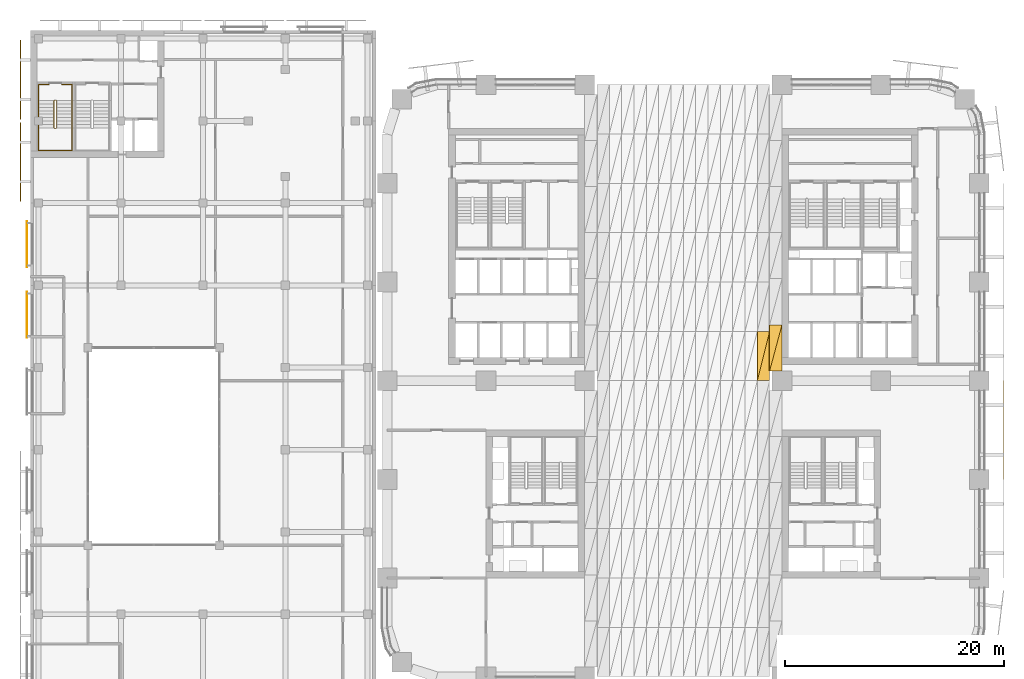
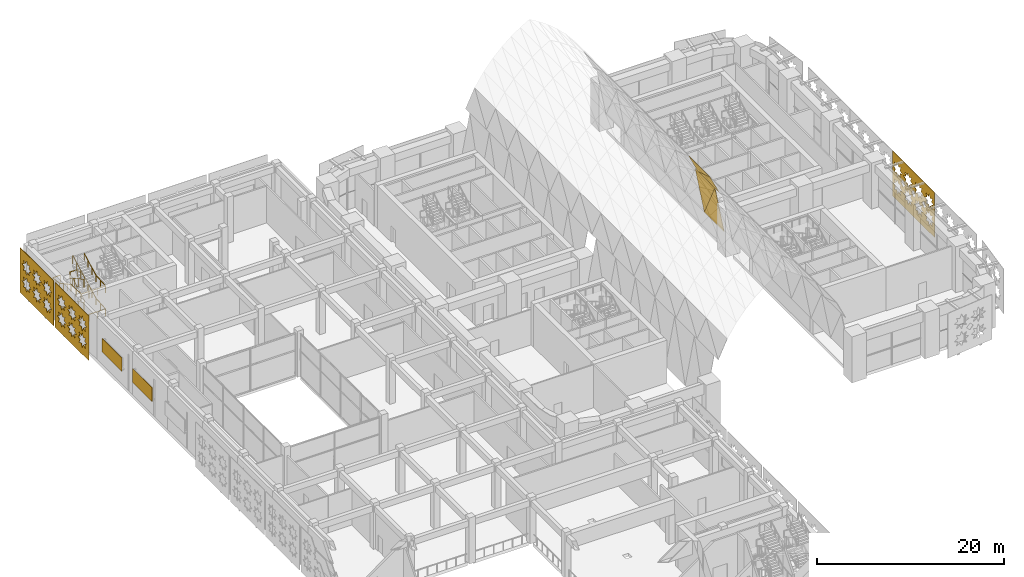
# One storey, part 39 of 46: 9 coverings, 3 railings.
"""IFC4 building model written with IfcOpenShell, lengths in metres."""

from ifc_helpers import new_model, si_unit, direction, frame, origin, origin_2d, place, context, subcontext, project, spatial, polyline, rectangle, circle, outline, extrude, material, layer, layer_set, type_object, element, save


model = new_model("IFC4")

# Units and contexts
model_context = context("Model", 3, precision=1e-05, world=origin(), true_north=direction((0.0, 1.0)))
body_context = subcontext(model_context, "Body", "Model", "MODEL_VIEW")
ifc_project = project(units=[si_unit("LENGTHUNIT", "METRE"), si_unit("AREAUNIT", "SQUARE_METRE"), si_unit("VOLUMEUNIT", "CUBIC_METRE"), si_unit("PLANEANGLEUNIT", "RADIAN"), si_unit("MASSUNIT", "GRAM", prefix="KILO")], contexts=[model_context])

# Site, building, storey
site_placement = place(None, origin())
site = spatial("IfcSite", under=ifc_project, at=site_placement, CompositionType="ELEMENT")
building_placement = place(site_placement, origin())
building = spatial("IfcBuilding", under=site, at=building_placement, Name="Tessera Arch", CompositionType="ELEMENT")
storey_placement = place(building_placement, frame((0.0, 0.0, 8.0)))
storey = spatial("IfcBuildingStorey", under=building, at=storey_placement, Name="L01", CompositionType="ELEMENT", Elevation=8.0)

# Coverings
ifc_material_1 = material(Name="Aluminium cladding pale metal anodised", Category="aluminium")
ifc_layer_1 = layer(ifc_material_1, 0.050048828125)
ifc_layer_set_1 = layer_set([ifc_layer_1], Name="Arch soffit panel")
covering_type_1 = type_object("IfcCoveringType", Name="Arch soffit panel", PredefinedType="CLADDING", material=ifc_layer_set_1)
covering_1_placement = place(storey_placement, frame((33.75, 27.0, 10.4521484375), z_axis=(0.903430696756, 0.0, 0.428734155577), x_axis=(0.428734155577, 0.0, -0.903430696756)))
element("IfcCovering", 1, at=covering_1_placement, inside=storey, type_object=covering_type_1, Name="Arch soffit panel 15-7-1", PredefinedType="CLADDING", context=body_context, shape_type="SweptSolid", body=[
    extrude(outline(polyline([(0.0, 0.0), (2.624003675391368, 0.0), (2.624003675391368, 4.500000000000001), (0.0, 0.0)])), origin(), (0.0, 0.0, -1.0), 0.050048828125),
])
covering_2_placement = place(storey_placement, frame((33.75, 27.0, 10.4521484375), z_axis=(0.903430696756, 0.0, 0.428734155577), x_axis=(0.215965533365, 0.863862133459, -0.455083621739)))
element("IfcCovering", 2, at=covering_2_placement, inside=storey, type_object=covering_type_1, Name="Arch soffit panel 15-7-2", PredefinedType="CLADDING", context=body_context, shape_type="SweptSolid", body=[
    extrude(outline(polyline([(0.0, 0.0), (5.209164548031422, 0.0), (3.887379600564281, 2.2667774132271337), (0.0, 0.0)])), origin(), (0.0, 0.0, -1.0), 0.050048828125),
])
covering_3_placement = place(storey_placement, frame((34.875, 27.89990234375, 8.08154296875), z_axis=(0.98331706381, 0.0, 0.181899840628), x_axis=(0.181899840628, 0.0, -0.98331706381)))
element("IfcCovering", 3, at=covering_3_placement, inside=storey, type_object=covering_type_1, Name="Arch soffit panel 16-7-1", PredefinedType="CLADDING", context=body_context, shape_type="SweptSolid", body=[
    extrude(outline(polyline([(0.0, 0.0), (6.184722296170829, 0.0), (6.184722296170829, 4.200195312500001), (0.0, 0.0)])), origin(), (0.0, 0.0, -1.0), 0.050048828125),
])
covering_4_placement = place(storey_placement, frame((34.875, 27.89990234375, 8.08154296875), z_axis=(0.98331706381, 0.0, 0.181899840628), x_axis=(0.150479044377, 0.561814557175, -0.813462021578)))
element("IfcCovering", 4, at=covering_4_placement, inside=storey, type_object=covering_type_1, Name="Arch soffit panel 16-7-2", PredefinedType="CLADDING", context=body_context, shape_type="SweptSolid", body=[
    extrude(outline(polyline([(0.0, 0.0), (7.47612403213721, 4.440892098500626e-16), (2.3597308695403933, 3.4746670180731147), (0.0, 0.0)])), origin(), (0.0, 0.0, -1.0), 0.050048828125),
])
ifc_material_2 = material(Name="Anodised aluminium pale metal", Category="aluminium")
ifc_layer_2 = layer(ifc_material_2, 0.050048828125)
ifc_layer_set_2 = layer_set([ifc_layer_2], Name="Base lattice panel pale metal")
covering_type_2 = type_object("IfcCoveringType", Name="Base lattice panel pale metal", PredefinedType="CLADDING", material=ifc_layer_set_2)
covering_5_placement = place(storey_placement, frame((56.199951171875, 18.0, 6.0), z_axis=(-1.0, 0.0, 0.0), x_axis=(0.0, 1.0, 0.0)))
element("IfcCovering", 5, at=covering_5_placement, inside=storey, type_object=covering_type_2, Name="Base lattice panel E54.0/1 L01", PredefinedType="CLADDING", context=body_context, shape_type="SweptSolid", body=[
    extrude(outline(polyline([(0.0, 0.0), (9.0, 0.0), (9.0, 5.840087890625), (0.0, 5.840087890625), (0.0, 0.0)]), holes=[polyline([(2.114990234375, 4.044921875), (1.6240234375, 3.837890625), (1.824951171875, 3.344970703125), (1.33203125, 3.5458984375), (1.125, 3.054931640625), (0.91796875, 3.5458984375), (0.425048828125, 3.344970703125), (0.6259765625, 3.837890625), (0.135009765625, 4.044921875), (0.6259765625, 4.251953125), (0.425048828125, 4.7451171875), (0.91796875, 4.5439453125), (1.125, 5.034912109375), (1.33203125, 4.5439453125), (1.824951171875, 4.7451171875), (1.6240234375, 4.251953125), (2.114990234375, 4.044921875)]), polyline([(2.114990234375, 1.794921875), (1.6240234375, 1.587890625), (1.824951171875, 1.094970703125), (1.33203125, 1.2958984375), (1.125, 0.804931640625), (0.91796875, 1.2958984375), (0.425048828125, 1.094970703125), (0.6259765625, 1.587890625), (0.135009765625, 1.794921875), (0.6259765625, 2.001953125), (0.425048828125, 2.4951171875), (0.91796875, 2.2939453125), (1.125, 2.784912109375), (1.33203125, 2.2939453125), (1.824951171875, 2.4951171875), (1.6240234375, 2.001953125), (2.114990234375, 1.794921875)]), polyline([(4.364990234375, 4.044921875), (3.8740234375, 3.837890625), (4.074951171875, 3.344970703125), (3.58203125, 3.5458984375), (3.375, 3.054931640625), (3.16796875, 3.5458984375), (2.675048828125, 3.344970703125), (2.8759765625, 3.837890625), (2.385009765625, 4.044921875), (2.8759765625, 4.251953125), (2.675048828125, 4.7451171875), (3.16796875, 4.5439453125), (3.375, 5.034912109375), (3.58203125, 4.5439453125), (4.074951171875, 4.7451171875), (3.8740234375, 4.251953125), (4.364990234375, 4.044921875)]), polyline([(4.364990234375, 1.794921875), (3.8740234375, 1.587890625), (4.074951171875, 1.094970703125), (3.58203125, 1.2958984375), (3.375, 0.804931640625), (3.16796875, 1.2958984375), (2.675048828125, 1.094970703125), (2.8759765625, 1.587890625), (2.385009765625, 1.794921875), (2.8759765625, 2.001953125), (2.675048828125, 2.4951171875), (3.16796875, 2.2939453125), (3.375, 2.784912109375), (3.58203125, 2.2939453125), (4.074951171875, 2.4951171875), (3.8740234375, 2.001953125), (4.364990234375, 1.794921875)]), polyline([(6.614990234375, 4.044921875), (6.1240234375, 3.837890625), (6.324951171875, 3.344970703125), (5.83203125, 3.5458984375), (5.625, 3.054931640625), (5.41796875, 3.5458984375), (4.925048828125, 3.344970703125), (5.1259765625, 3.837890625), (4.635009765625, 4.044921875), (5.1259765625, 4.251953125), (4.925048828125, 4.7451171875), (5.41796875, 4.5439453125), (5.625, 5.034912109375), (5.83203125, 4.5439453125), (6.324951171875, 4.7451171875), (6.1240234375, 4.251953125), (6.614990234375, 4.044921875)]), polyline([(6.614990234375, 1.794921875), (6.1240234375, 1.587890625), (6.324951171875, 1.094970703125), (5.83203125, 1.2958984375), (5.625, 0.804931640625), (5.41796875, 1.2958984375), (4.925048828125, 1.094970703125), (5.1259765625, 1.587890625), (4.635009765625, 1.794921875), (5.1259765625, 2.001953125), (4.925048828125, 2.4951171875), (5.41796875, 2.2939453125), (5.625, 2.784912109375), (5.83203125, 2.2939453125), (6.324951171875, 2.4951171875), (6.1240234375, 2.001953125), (6.614990234375, 1.794921875)]), polyline([(8.864990234375, 4.044921875), (8.3740234375, 3.837890625), (8.574951171875, 3.344970703125), (8.08203125, 3.5458984375), (7.875, 3.054931640625), (7.66796875, 3.5458984375), (7.175048828125, 3.344970703125), (7.3759765625, 3.837890625), (6.885009765625, 4.044921875), (7.3759765625, 4.251953125), (7.175048828125, 4.7451171875), (7.66796875, 4.5439453125), (7.875, 5.034912109375), (8.08203125, 4.5439453125), (8.574951171875, 4.7451171875), (8.3740234375, 4.251953125), (8.864990234375, 4.044921875)]), polyline([(8.864990234375, 1.794921875), (8.3740234375, 1.587890625), (8.574951171875, 1.094970703125), (8.08203125, 1.2958984375), (7.875, 0.804931640625), (7.66796875, 1.2958984375), (7.175048828125, 1.094970703125), (7.3759765625, 1.587890625), (6.885009765625, 1.794921875), (7.3759765625, 2.001953125), (7.175048828125, 2.4951171875), (7.66796875, 2.2939453125), (7.875, 2.784912109375), (8.08203125, 2.2939453125), (8.574951171875, 2.4951171875), (8.3740234375, 2.001953125), (8.864990234375, 1.794921875)]), polyline([(2.699951171875, 2.919921875), (2.25, 2.469970703125), (1.800048828125, 2.919921875), (2.25, 3.3701171875), (2.699951171875, 2.919921875)]), polyline([(4.949951171875, 2.919921875), (4.5, 2.469970703125), (4.050048828125, 2.919921875), (4.5, 3.3701171875), (4.949951171875, 2.919921875)]), polyline([(7.199951171875, 2.919921875), (6.75, 2.469970703125), (6.300048828125, 2.919921875), (6.75, 3.3701171875), (7.199951171875, 2.919921875)])]), origin(), (0.0, 0.0, -1.0), 0.050048828125),
])
ifc_material_3 = material(Name="Anodised aluminium pale metal", Category="aluminium")
ifc_layer_3 = layer(ifc_material_3, 0.050048828125)
ifc_layer_set_3 = layer_set([ifc_layer_3], Name="Museum lattice skin panel")
covering_type_3 = type_object("IfcCoveringType", Name="Museum lattice skin panel", PredefinedType="CLADDING", material=ifc_layer_set_3)
covering_6_placement = place(storey_placement, frame((-33.449951171875, 58.050048828125, 5.949951171875), z_axis=(1.0, 0.0, 0.0), x_axis=(0.0, -1.0, 0.0)))
element("IfcCovering", 6, at=covering_6_placement, inside=storey, type_object=covering_type_3, Name="Museum lattice skin L01 6-2", PredefinedType="CLADDING", context=body_context, shape_type="SweptSolid", body=[
    extrude(outline(polyline([(0.0, 0.0), (7.199951171875, 0.0), (7.199951171875, 5.849853515625), (0.0, 5.849853515625), (0.0, 0.0)]), holes=[polyline([(2.3681640625, 4.02490234375), (1.887939453125, 3.822998046875), (2.083984375, 3.341064453125), (1.60205078125, 3.536865234375), (1.400146484375, 3.056884765625), (1.197998046875, 3.536865234375), (0.716064453125, 3.341064453125), (0.912109375, 3.822998046875), (0.43212890625, 4.02490234375), (0.912109375, 4.22705078125), (0.716064453125, 4.708984375), (1.197998046875, 4.512939453125), (1.400146484375, 4.992919921875), (1.60205078125, 4.512939453125), (2.083984375, 4.708984375), (1.887939453125, 4.22705078125), (2.3681640625, 4.02490234375)]), polyline([(2.3681640625, 1.824951171875), (1.887939453125, 1.623046875), (2.083984375, 1.140869140625), (1.60205078125, 1.3369140625), (1.400146484375, 0.85693359375), (1.197998046875, 1.3369140625), (0.716064453125, 1.140869140625), (0.912109375, 1.623046875), (0.43212890625, 1.824951171875), (0.912109375, 2.02685546875), (0.716064453125, 2.509033203125), (1.197998046875, 2.31298828125), (1.400146484375, 2.79296875), (1.60205078125, 2.31298828125), (2.083984375, 2.509033203125), (1.887939453125, 2.02685546875), (2.3681640625, 1.824951171875)]), polyline([(4.568115234375, 4.02490234375), (4.088134765625, 3.822998046875), (4.283935546875, 3.341064453125), (3.802001953125, 3.536865234375), (3.60009765625, 3.056884765625), (3.39794921875, 3.536865234375), (2.916015625, 3.341064453125), (3.112060546875, 3.822998046875), (2.632080078125, 4.02490234375), (3.112060546875, 4.22705078125), (2.916015625, 4.708984375), (3.39794921875, 4.512939453125), (3.60009765625, 4.992919921875), (3.802001953125, 4.512939453125), (4.283935546875, 4.708984375), (4.088134765625, 4.22705078125), (4.568115234375, 4.02490234375)]), polyline([(4.568115234375, 1.824951171875), (4.088134765625, 1.623046875), (4.283935546875, 1.140869140625), (3.802001953125, 1.3369140625), (3.60009765625, 0.85693359375), (3.39794921875, 1.3369140625), (2.916015625, 1.140869140625), (3.112060546875, 1.623046875), (2.632080078125, 1.824951171875), (3.112060546875, 2.02685546875), (2.916015625, 2.509033203125), (3.39794921875, 2.31298828125), (3.60009765625, 2.79296875), (3.802001953125, 2.31298828125), (4.283935546875, 2.509033203125), (4.088134765625, 2.02685546875), (4.568115234375, 1.824951171875)]), polyline([(6.76806640625, 4.02490234375), (6.2880859375, 3.822998046875), (6.484130859375, 3.341064453125), (6.001953125, 3.536865234375), (5.800048828125, 3.056884765625), (5.59814453125, 3.536865234375), (5.115966796875, 3.341064453125), (5.31201171875, 3.822998046875), (4.83203125, 4.02490234375), (5.31201171875, 4.22705078125), (5.115966796875, 4.708984375), (5.59814453125, 4.512939453125), (5.800048828125, 4.992919921875), (6.001953125, 4.512939453125), (6.484130859375, 4.708984375), (6.2880859375, 4.22705078125), (6.76806640625, 4.02490234375)]), polyline([(6.76806640625, 1.824951171875), (6.2880859375, 1.623046875), (6.484130859375, 1.140869140625), (6.001953125, 1.3369140625), (5.800048828125, 0.85693359375), (5.59814453125, 1.3369140625), (5.115966796875, 1.140869140625), (5.31201171875, 1.623046875), (4.83203125, 1.824951171875), (5.31201171875, 2.02685546875), (5.115966796875, 2.509033203125), (5.59814453125, 2.31298828125), (5.800048828125, 2.79296875), (6.001953125, 2.31298828125), (6.484130859375, 2.509033203125), (6.2880859375, 2.02685546875), (6.76806640625, 1.824951171875)])]), origin(), (0.0, 0.0, -1.0), 0.050048828125),
])
covering_7_placement = place(storey_placement, frame((-33.449951171875, 50.550048828125, 5.949951171875), z_axis=(1.0, 0.0, 0.0), x_axis=(0.0, -1.0, 0.0)))
element("IfcCovering", 7, at=covering_7_placement, inside=storey, type_object=covering_type_3, Name="Museum lattice skin L01 6-3", PredefinedType="CLADDING", context=body_context, shape_type="SweptSolid", body=[
    extrude(outline(polyline([(0.0, 0.0), (7.199951171875, 0.0), (7.199951171875, 5.849853515625), (0.0, 5.849853515625), (0.0, 0.0)]), holes=[polyline([(2.3681640625, 4.02490234375), (1.887939453125, 3.822998046875), (2.083984375, 3.341064453125), (1.60205078125, 3.536865234375), (1.400146484375, 3.056884765625), (1.197998046875, 3.536865234375), (0.716064453125, 3.341064453125), (0.912109375, 3.822998046875), (0.43212890625, 4.02490234375), (0.912109375, 4.22705078125), (0.716064453125, 4.708984375), (1.197998046875, 4.512939453125), (1.400146484375, 4.992919921875), (1.60205078125, 4.512939453125), (2.083984375, 4.708984375), (1.887939453125, 4.22705078125), (2.3681640625, 4.02490234375)]), polyline([(2.3681640625, 1.824951171875), (1.887939453125, 1.623046875), (2.083984375, 1.140869140625), (1.60205078125, 1.3369140625), (1.400146484375, 0.85693359375), (1.197998046875, 1.3369140625), (0.716064453125, 1.140869140625), (0.912109375, 1.623046875), (0.43212890625, 1.824951171875), (0.912109375, 2.02685546875), (0.716064453125, 2.509033203125), (1.197998046875, 2.31298828125), (1.400146484375, 2.79296875), (1.60205078125, 2.31298828125), (2.083984375, 2.509033203125), (1.887939453125, 2.02685546875), (2.3681640625, 1.824951171875)]), polyline([(4.568115234375, 4.02490234375), (4.088134765625, 3.822998046875), (4.283935546875, 3.341064453125), (3.802001953125, 3.536865234375), (3.60009765625, 3.056884765625), (3.39794921875, 3.536865234375), (2.916015625, 3.341064453125), (3.112060546875, 3.822998046875), (2.632080078125, 4.02490234375), (3.112060546875, 4.22705078125), (2.916015625, 4.708984375), (3.39794921875, 4.512939453125), (3.60009765625, 4.992919921875), (3.802001953125, 4.512939453125), (4.283935546875, 4.708984375), (4.088134765625, 4.22705078125), (4.568115234375, 4.02490234375)]), polyline([(4.568115234375, 1.824951171875), (4.088134765625, 1.623046875), (4.283935546875, 1.140869140625), (3.802001953125, 1.3369140625), (3.60009765625, 0.85693359375), (3.39794921875, 1.3369140625), (2.916015625, 1.140869140625), (3.112060546875, 1.623046875), (2.632080078125, 1.824951171875), (3.112060546875, 2.02685546875), (2.916015625, 2.509033203125), (3.39794921875, 2.31298828125), (3.60009765625, 2.79296875), (3.802001953125, 2.31298828125), (4.283935546875, 2.509033203125), (4.088134765625, 2.02685546875), (4.568115234375, 1.824951171875)]), polyline([(6.76806640625, 4.02490234375), (6.2880859375, 3.822998046875), (6.484130859375, 3.341064453125), (6.001953125, 3.536865234375), (5.800048828125, 3.056884765625), (5.59814453125, 3.536865234375), (5.115966796875, 3.341064453125), (5.31201171875, 3.822998046875), (4.83203125, 4.02490234375), (5.31201171875, 4.22705078125), (5.115966796875, 4.708984375), (5.59814453125, 4.512939453125), (5.800048828125, 4.992919921875), (6.001953125, 4.512939453125), (6.484130859375, 4.708984375), (6.2880859375, 4.22705078125), (6.76806640625, 4.02490234375)]), polyline([(6.76806640625, 1.824951171875), (6.2880859375, 1.623046875), (6.484130859375, 1.140869140625), (6.001953125, 1.3369140625), (5.800048828125, 0.85693359375), (5.59814453125, 1.3369140625), (5.115966796875, 1.140869140625), (5.31201171875, 1.623046875), (4.83203125, 1.824951171875), (5.31201171875, 2.02685546875), (5.115966796875, 2.509033203125), (5.59814453125, 2.31298828125), (5.800048828125, 2.79296875), (6.001953125, 2.31298828125), (6.484130859375, 2.509033203125), (6.2880859375, 2.02685546875), (6.76806640625, 1.824951171875)])]), origin(), (0.0, 0.0, -1.0), 0.050048828125),
])
ifc_material_4 = material(Name="Anodised aluminium pale metal", Category="aluminium")
ifc_layer_4 = layer(ifc_material_4, 0.0400390625)
ifc_layer_set_4 = layer_set([ifc_layer_4], Name="Museum screen panel")
covering_type_4 = type_object("IfcCoveringType", Name="Museum screen panel", PredefinedType="CLADDING", material=ifc_layer_set_4)
for number, where, z_axis, x_axis, name in (
    (8, (-32.8701171875, 39.449951171875, 2.10009765625), (0.0, 0.0, 1.0), (0.0, -1.0, 0.0), "Screen panel museum L01 6-4"),
    (9, (-32.8701171875, 33.0, 2.10009765625), (0.0, 0.0, 1.0), (0.0, -1.0, 0.0), "Screen panel museum L01 6-5"),
):
    element("IfcCovering", number, at=place(storey_placement, frame(where, z_axis=z_axis, x_axis=x_axis)), inside=storey, type_object=covering_type_4, Name=name, PredefinedType="CLADDING", context=body_context, shape_type="SweptSolid", body=[
        extrude(rectangle(XDim=4.199951171875, YDim=0.0400390625, at=origin_2d()), origin(), (0.0, 0.0, 1.0), 1.800048828125),
    ])

# Railings
ifc_material_5 = material(Name="Painted steel balustrade", Category="steel")
railing_type_1 = type_object("IfcRailingType", Name="Stair guard 1100", PredefinedType="GUARDRAIL", material=ifc_material_5)
railing_1_placement = place(storey_placement, frame((-30.35009765625, 52.60009765625, 0.0)))
element("IfcRailing", 10, at=railing_1_placement, inside=storey, type_object=railing_type_1, Name="L01 M1a stair guard 1", PredefinedType="GUARDRAIL", context=body_context, shape_type="SweptSolid", body=[
    extrude(circle(Radius=0.02392578125, at=origin_2d()), frame((-0.00390625, 0.0, 1.076171875), z_axis=(1.0, 0.0, 0.0), x_axis=(0.0, 1.0, 0.0)), (0.0, 0.0, 1.0), 0.158203125),
    extrude(circle(Radius=0.02392578125, at=origin_2d()), frame((0.153076171875, 0.000732421875, 1.073486328125), z_axis=(-0.754182335027, -0.188775798145, 0.628945707965), x_axis=(0.242814311512, -0.970072785993, 0.0)), (0.0, 0.0, 1.0), 0.273193359375),
    extrude(circle(Radius=0.02392578125, at=origin_2d()), frame((-0.0498046875, -0.046630859375, 1.240966796875), z_axis=(0.0, -0.880785522881, 0.473515430248), x_axis=(1.0, 0.0, 0.0)), (0.0, 0.0, 1.0), 2.82373046875),
    extrude(circle(Radius=0.02392578125, at=origin_2d()), frame((-0.052734375, -2.527099609375, 2.576171875), z_axis=(0.705375805398, -0.708833529934, 0.0), x_axis=(0.708833529934, 0.705375805398, 0.0)), (0.0, 0.0, 1.0), 0.07861328125),
    extrude(circle(Radius=0.02392578125, at=origin_2d()), frame((-0.00390625, -2.580078125, 2.576171875), z_axis=(1.0, 0.0, 0.0), x_axis=(0.0, 1.0, 0.0)), (0.0, 0.0, 1.0), 0.158203125),
    extrude(circle(Radius=0.02392578125, at=origin_2d()), frame((0.14892578125, -2.581298828125, 2.572265625), z_axis=(0.27628659633, 0.27628659633, 0.920506074601), x_axis=(-0.707106781187, 0.707106781187, 0.0)), (0.0, 0.0, 1.0), 0.189208984375),
    extrude(circle(Radius=0.02392578125, at=origin_2d()), frame((0.2001953125, -2.533447265625, 2.740966796875), z_axis=(0.0, 0.880785522881, 0.473515430248), x_axis=(-1.0, 0.0, 0.0)), (0.0, 0.0, 1.0), 2.82373046875),
    extrude(circle(Radius=0.02392578125, at=origin_2d()), frame((0.2041015625, -0.051025390625, 4.076171875), z_axis=(-0.970142500145, 0.242535625036, 0.0), x_axis=(-0.242535625036, -0.970142500145, 0.0)), (0.0, 0.0, 1.0), 0.21435546875),
    extrude(circle(Radius=0.02392578125, at=origin_2d()), frame((-0.00390625, 0.0, 4.076171875), z_axis=(1.0, 0.0, 0.0), x_axis=(0.0, 1.0, 0.0)), (0.0, 0.0, 1.0), 0.158203125),
    extrude(circle(Radius=0.02392578125, at=origin_2d()), frame((0.153076171875, 0.000732421875, 4.073486328125), z_axis=(-0.754182335027, -0.188775798145, 0.628945707965), x_axis=(0.242814311512, -0.970072785993, 0.0)), (0.0, 0.0, 1.0), 0.273193359375),
    extrude(circle(Radius=0.02392578125, at=origin_2d()), frame((-0.0498046875, -0.046630859375, 4.240966796875), z_axis=(0.0, -0.880785522881, 0.473515430248), x_axis=(1.0, 0.0, 0.0)), (0.0, 0.0, 1.0), 2.82373046875),
    extrude(circle(Radius=0.02392578125, at=origin_2d()), frame((-0.052734375, -2.527099609375, 5.576171875), z_axis=(0.705375805398, -0.708833529934, 0.0), x_axis=(0.708833529934, 0.705375805398, 0.0)), (0.0, 0.0, 1.0), 0.07861328125),
    extrude(circle(Radius=0.02392578125, at=origin_2d()), frame((-0.00390625, -2.580078125, 5.576171875), z_axis=(1.0, 0.0, 0.0), x_axis=(0.0, 1.0, 0.0)), (0.0, 0.0, 1.0), 0.158203125),
    extrude(circle(Radius=0.02392578125, at=origin_2d()), frame((0.14892578125, -2.581298828125, 5.572265625), z_axis=(0.27628659633, 0.27628659633, 0.920506074601), x_axis=(-0.707106781187, 0.707106781187, 0.0)), (0.0, 0.0, 1.0), 0.189208984375),
    extrude(circle(Radius=0.02392578125, at=origin_2d()), frame((0.2001953125, -2.533447265625, 5.740966796875), z_axis=(0.0, 0.880785522881, 0.473515430248), x_axis=(-1.0, 0.0, 0.0)), (0.0, 0.0, 1.0), 2.82373046875),
    extrude(circle(Radius=0.02099609375, at=origin_2d()), origin(), (0.0, 0.0, 1.0), 1.06396484375),
    extrude(circle(Radius=0.02099609375, at=origin_2d()), frame((0.150146484375, 0.0, 0.0)), (0.0, 0.0, 1.0), 1.06396484375),
    extrude(circle(Radius=0.02099609375, at=origin_2d()), frame((-0.0498046875, -0.050048828125, 0.166748046875)), (0.0, 0.0, 1.0), 1.06396484375),
    extrude(circle(Radius=0.02099609375, at=origin_2d()), frame((-0.0498046875, -0.876708984375, 0.611083984375)), (0.0, 0.0, 1.0), 1.06396484375),
    extrude(circle(Radius=0.02099609375, at=origin_2d()), frame((-0.0498046875, -1.703369140625, 1.0556640625)), (0.0, 0.0, 1.0), 1.06396484375),
    extrude(circle(Radius=0.02099609375, at=origin_2d()), frame((-0.0498046875, -2.530029296875, 1.5)), (0.0, 0.0, 1.0), 1.06396484375),
    extrude(circle(Radius=0.02099609375, at=origin_2d()), frame((0.0, -2.580078125, 1.5)), (0.0, 0.0, 1.0), 1.06396484375),
    extrude(circle(Radius=0.02099609375, at=origin_2d()), frame((0.150146484375, -2.580078125, 1.5)), (0.0, 0.0, 1.0), 1.06396484375),
    extrude(circle(Radius=0.02099609375, at=origin_2d()), frame((0.2001953125, -2.530029296875, 1.666748046875)), (0.0, 0.0, 1.0), 1.06396484375),
    extrude(circle(Radius=0.02099609375, at=origin_2d()), frame((0.2001953125, -1.703369140625, 2.111083984375)), (0.0, 0.0, 1.0), 1.06396484375),
    extrude(circle(Radius=0.02099609375, at=origin_2d()), frame((0.2001953125, -0.876708984375, 2.5556640625)), (0.0, 0.0, 1.0), 1.06396484375),
    extrude(circle(Radius=0.02099609375, at=origin_2d()), frame((0.2001953125, -0.050048828125, 3.0)), (0.0, 0.0, 1.0), 1.06396484375),
    extrude(circle(Radius=0.02099609375, at=origin_2d()), frame((0.0, 0.0, 3.0)), (0.0, 0.0, 1.0), 1.06396484375),
    extrude(circle(Radius=0.02099609375, at=origin_2d()), frame((0.150146484375, 0.0, 3.0)), (0.0, 0.0, 1.0), 1.06396484375),
    extrude(circle(Radius=0.02099609375, at=origin_2d()), frame((-0.0498046875, -0.050048828125, 3.166748046875)), (0.0, 0.0, 1.0), 1.06396484375),
    extrude(circle(Radius=0.02099609375, at=origin_2d()), frame((-0.0498046875, -0.876708984375, 3.611083984375)), (0.0, 0.0, 1.0), 1.06396484375),
    extrude(circle(Radius=0.02099609375, at=origin_2d()), frame((-0.0498046875, -1.703369140625, 4.0556640625)), (0.0, 0.0, 1.0), 1.06396484375),
    extrude(circle(Radius=0.02099609375, at=origin_2d()), frame((-0.0498046875, -2.530029296875, 4.5)), (0.0, 0.0, 1.0), 1.06396484375),
    extrude(circle(Radius=0.02099609375, at=origin_2d()), frame((0.0, -2.580078125, 4.5)), (0.0, 0.0, 1.0), 1.06396484375),
    extrude(circle(Radius=0.02099609375, at=origin_2d()), frame((0.150146484375, -2.580078125, 4.5)), (0.0, 0.0, 1.0), 1.06396484375),
    extrude(circle(Radius=0.02099609375, at=origin_2d()), frame((0.2001953125, -2.530029296875, 4.666748046875)), (0.0, 0.0, 1.0), 1.06396484375),
    extrude(circle(Radius=0.02099609375, at=origin_2d()), frame((0.2001953125, -1.703369140625, 5.111083984375)), (0.0, 0.0, 1.0), 1.06396484375),
    extrude(circle(Radius=0.02099609375, at=origin_2d()), frame((0.2001953125, -0.876708984375, 5.5556640625)), (0.0, 0.0, 1.0), 1.06396484375),
    extrude(circle(Radius=0.02099609375, at=origin_2d()), frame((0.2001953125, -0.050048828125, 6.0)), (0.0, 0.0, 1.0), 1.06396484375),
])
ifc_material_6 = material(Name="Painted steel handrail", Category="steel")
railing_type_2 = type_object("IfcRailingType", Name="Stair handrail 900", PredefinedType="HANDRAIL", material=ifc_material_6)
railing_2_placement = place(storey_placement, frame((-31.800048828125, 52.550048828125, 0.166748046875)))
element("IfcRailing", 11, at=railing_2_placement, inside=storey, type_object=railing_type_2, Name="L01 M1a stair handrail", PredefinedType="HANDRAIL", context=body_context, shape_type="SweptSolid", body=[
    extrude(circle(Radius=0.02392578125, at=origin_2d()), frame((0.0, 0.00341796875, 0.8740234375), z_axis=(0.0, -0.880785522881, 0.473515430248), x_axis=(1.0, 0.0, 0.0)), (0.0, 0.0, 1.0), 2.82373046875),
    extrude(circle(Radius=0.02392578125, at=origin_2d()), frame((0.0, -2.47607421875, 2.208984375), z_axis=(0.0, -1.0, 0.0), x_axis=(1.0, 0.0, 0.0)), (0.0, 0.0, 1.0), 2.078125),
    extrude(circle(Radius=0.02392578125, at=origin_2d()), frame((-0.00390625, -4.550048828125, 2.208984375), z_axis=(1.0, 0.0, 0.0), x_axis=(0.0, 1.0, 0.0)), (0.0, 0.0, 1.0), 3.05810546875),
    extrude(circle(Radius=0.02392578125, at=origin_2d()), frame((3.050048828125, -4.553955078125, 2.208740234375), z_axis=(0.0, 0.996771394942, 0.080291881442), x_axis=(-1.0, 0.0, 0.0)), (0.0, 0.0, 1.0), 2.084716796875),
    extrude(circle(Radius=0.02392578125, at=origin_2d()), frame((3.050048828125, -2.4833984375, 2.3740234375), z_axis=(0.0, 0.880785522881, 0.473515430248), x_axis=(-1.0, 0.0, 0.0)), (0.0, 0.0, 1.0), 2.82373046875),
    extrude(circle(Radius=0.02392578125, at=origin_2d()), frame((3.050048828125, -0.00390625, 3.708984375), z_axis=(0.0, 1.0, 0.0), x_axis=(-1.0, 0.0, 0.0)), (0.0, 0.0, 1.0), 1.4580078125),
    extrude(circle(Radius=0.02392578125, at=origin_2d()), frame((3.053955078125, 1.449951171875, 3.708984375), z_axis=(-1.0, 0.0, 0.0), x_axis=(0.0, -1.0, 0.0)), (0.0, 0.0, 1.0), 0.93310546875),
    extrude(circle(Radius=0.02099609375, at=origin_2d()), origin(), (0.0, 0.0, 1.0), 0.86376953125),
    extrude(circle(Radius=0.02099609375, at=origin_2d()), frame((0.0, -0.82666015625, 0.4443359375)), (0.0, 0.0, 1.0), 0.86376953125),
    extrude(circle(Radius=0.02099609375, at=origin_2d()), frame((0.0, -1.6533203125, 0.888916015625)), (0.0, 0.0, 1.0), 0.86376953125),
    extrude(circle(Radius=0.02099609375, at=origin_2d()), frame((0.0, -2.47998046875, 1.333251953125)), (0.0, 0.0, 1.0), 0.86376953125),
    extrude(circle(Radius=0.02099609375, at=origin_2d()), frame((0.0, -3.51513671875, 1.333251953125)), (0.0, 0.0, 1.0), 0.86376953125),
    extrude(circle(Radius=0.02099609375, at=origin_2d()), frame((0.0, -4.550048828125, 1.333251953125)), (0.0, 0.0, 1.0), 0.86376953125),
    extrude(circle(Radius=0.02099609375, at=origin_2d()), frame((1.0166015625, -4.550048828125, 1.333251953125)), (0.0, 0.0, 1.0), 0.86376953125),
    extrude(circle(Radius=0.02099609375, at=origin_2d()), frame((2.033447265625, -4.550048828125, 1.333251953125)), (0.0, 0.0, 1.0), 0.86376953125),
    extrude(circle(Radius=0.02099609375, at=origin_2d()), frame((3.050048828125, -4.550048828125, 1.333251953125)), (0.0, 0.0, 1.0), 0.86376953125),
    extrude(circle(Radius=0.02099609375, at=origin_2d()), frame((3.050048828125, -3.51513671875, 1.41650390625)), (0.0, 0.0, 1.0), 0.86376953125),
    extrude(circle(Radius=0.02099609375, at=origin_2d()), frame((3.050048828125, -2.47998046875, 1.5)), (0.0, 0.0, 1.0), 0.86376953125),
    extrude(circle(Radius=0.02099609375, at=origin_2d()), frame((3.050048828125, -1.6533203125, 1.9443359375)), (0.0, 0.0, 1.0), 0.86376953125),
    extrude(circle(Radius=0.02099609375, at=origin_2d()), frame((3.050048828125, -0.82666015625, 2.388916015625)), (0.0, 0.0, 1.0), 0.86376953125),
    extrude(circle(Radius=0.02099609375, at=origin_2d()), frame((3.050048828125, 0.0, 2.833251953125)), (0.0, 0.0, 1.0), 0.86376953125),
    extrude(circle(Radius=0.02099609375, at=origin_2d()), frame((3.050048828125, 0.72509765625, 2.833251953125)), (0.0, 0.0, 1.0), 0.86376953125),
    extrude(circle(Radius=0.02099609375, at=origin_2d()), frame((3.050048828125, 1.449951171875, 2.833251953125)), (0.0, 0.0, 1.0), 0.86376953125),
    extrude(circle(Radius=0.02099609375, at=origin_2d()), frame((2.125, 1.449951171875, 2.833251953125)), (0.0, 0.0, 1.0), 0.86376953125),
])
railing_3_placement = place(storey_placement, frame((-30.875, 54.0, 3.0)))
element("IfcRailing", 12, at=railing_3_placement, inside=storey, type_object=railing_type_2, Name="L01 M1a stair handrail 2", PredefinedType="HANDRAIL", context=body_context, shape_type="SweptSolid", body=[
    extrude(circle(Radius=0.02392578125, at=origin_2d()), frame((0.00390625, 0.0, 0.8759765625), z_axis=(-1.0, 0.0, 0.0), x_axis=(0.0, -1.0, 0.0)), (0.0, 0.0, 1.0), 0.93310546875),
    extrude(circle(Radius=0.02392578125, at=origin_2d()), frame((-0.925048828125, 0.00390625, 0.87548828125), z_axis=(0.0, -0.993452088381, 0.114249499304), x_axis=(1.0, 0.0, 0.0)), (0.0, 0.0, 1.0), 1.467529296875),
    extrude(circle(Radius=0.02392578125, at=origin_2d()), frame((-0.925048828125, -1.446533203125, 1.040771484375), z_axis=(0.0, -0.880785522881, 0.473515430248), x_axis=(1.0, 0.0, 0.0)), (0.0, 0.0, 1.0), 2.82373046875),
    extrude(circle(Radius=0.02392578125, at=origin_2d()), frame((-0.925048828125, -3.926025390625, 2.3759765625), z_axis=(0.0, -1.0, 0.0), x_axis=(1.0, 0.0, 0.0)), (0.0, 0.0, 1.0), 2.078125),
    extrude(circle(Radius=0.02392578125, at=origin_2d()), frame((-0.928955078125, -6.0, 2.3759765625), z_axis=(1.0, 0.0, 0.0), x_axis=(0.0, 1.0, 0.0)), (0.0, 0.0, 1.0), 3.05810546875),
    extrude(circle(Radius=0.02392578125, at=origin_2d()), frame((2.125, -6.00390625, 2.37548828125), z_axis=(0.0, 0.996771394942, 0.080291881442), x_axis=(-1.0, 0.0, 0.0)), (0.0, 0.0, 1.0), 2.084716796875),
    extrude(circle(Radius=0.02392578125, at=origin_2d()), frame((2.125, -3.933349609375, 2.540771484375), z_axis=(0.0, 0.880785522881, 0.473515430248), x_axis=(-1.0, 0.0, 0.0)), (0.0, 0.0, 1.0), 2.82373046875),
    extrude(circle(Radius=0.02099609375, at=origin_2d()), origin(), (0.0, 0.0, 1.0), 0.86376953125),
    extrude(circle(Radius=0.02099609375, at=origin_2d()), frame((-0.925048828125, 0.0, 0.0)), (0.0, 0.0, 1.0), 0.86376953125),
    extrude(circle(Radius=0.02099609375, at=origin_2d()), frame((-0.925048828125, -0.72509765625, 0.08349609375)), (0.0, 0.0, 1.0), 0.86376953125),
    extrude(circle(Radius=0.02099609375, at=origin_2d()), frame((-0.925048828125, -1.449951171875, 0.166748046875)), (0.0, 0.0, 1.0), 0.86376953125),
    extrude(circle(Radius=0.02099609375, at=origin_2d()), frame((-0.925048828125, -2.276611328125, 0.611083984375)), (0.0, 0.0, 1.0), 0.86376953125),
    extrude(circle(Radius=0.02099609375, at=origin_2d()), frame((-0.925048828125, -3.103271484375, 1.0556640625)), (0.0, 0.0, 1.0), 0.86376953125),
    extrude(circle(Radius=0.02099609375, at=origin_2d()), frame((-0.925048828125, -3.929931640625, 1.5)), (0.0, 0.0, 1.0), 0.86376953125),
    extrude(circle(Radius=0.02099609375, at=origin_2d()), frame((-0.925048828125, -4.96484375, 1.5)), (0.0, 0.0, 1.0), 0.86376953125),
    extrude(circle(Radius=0.02099609375, at=origin_2d()), frame((-0.925048828125, -6.0, 1.5)), (0.0, 0.0, 1.0), 0.86376953125),
    extrude(circle(Radius=0.02099609375, at=origin_2d()), frame((0.091552734375, -6.0, 1.5)), (0.0, 0.0, 1.0), 0.86376953125),
    extrude(circle(Radius=0.02099609375, at=origin_2d()), frame((1.1083984375, -6.0, 1.5)), (0.0, 0.0, 1.0), 0.86376953125),
    extrude(circle(Radius=0.02099609375, at=origin_2d()), frame((2.125, -6.0, 1.5)), (0.0, 0.0, 1.0), 0.86376953125),
    extrude(circle(Radius=0.02099609375, at=origin_2d()), frame((2.125, -4.96484375, 1.58349609375)), (0.0, 0.0, 1.0), 0.86376953125),
    extrude(circle(Radius=0.02099609375, at=origin_2d()), frame((2.125, -3.929931640625, 1.666748046875)), (0.0, 0.0, 1.0), 0.86376953125),
    extrude(circle(Radius=0.02099609375, at=origin_2d()), frame((2.125, -3.103271484375, 2.111083984375)), (0.0, 0.0, 1.0), 0.86376953125),
    extrude(circle(Radius=0.02099609375, at=origin_2d()), frame((2.125, -2.276611328125, 2.5556640625)), (0.0, 0.0, 1.0), 0.86376953125),
    extrude(circle(Radius=0.02099609375, at=origin_2d()), frame((2.125, -1.449951171875, 3.0)), (0.0, 0.0, 1.0), 0.86376953125),
])

save(model, "model.ifc")
